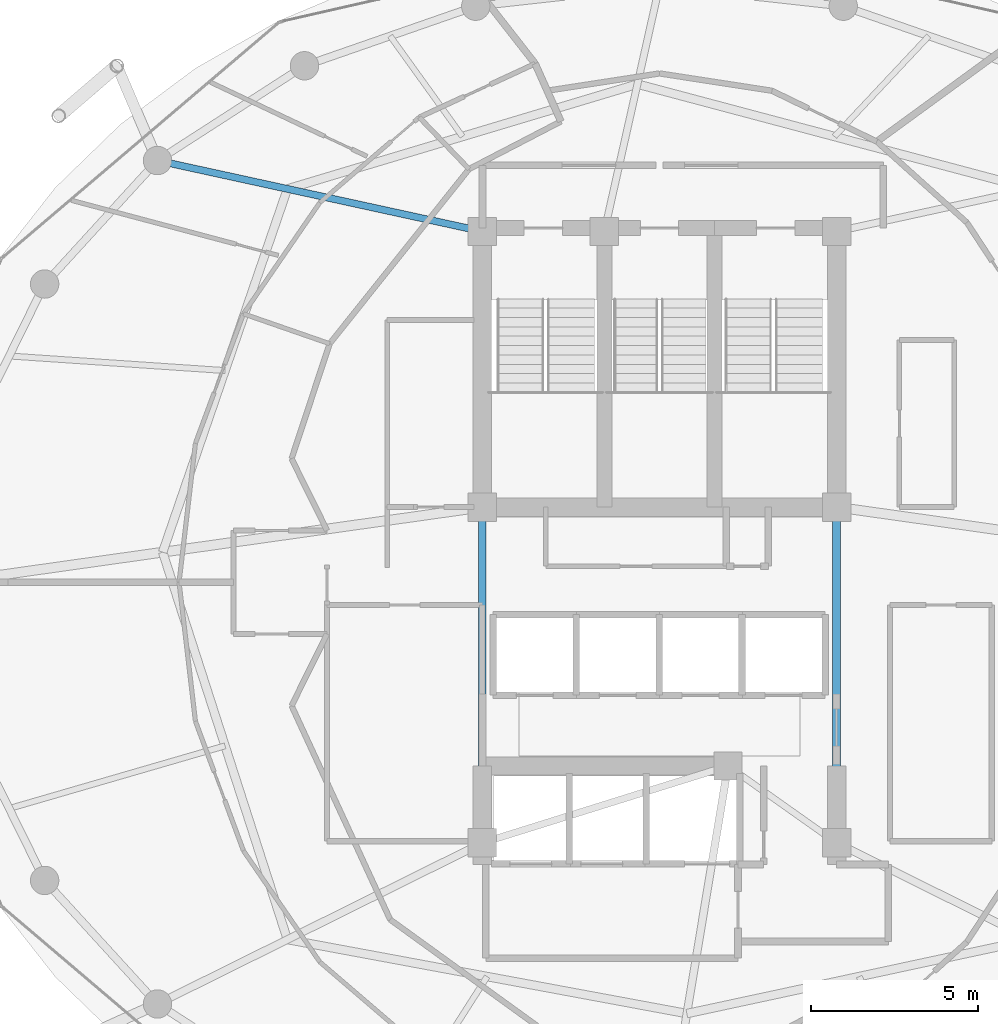
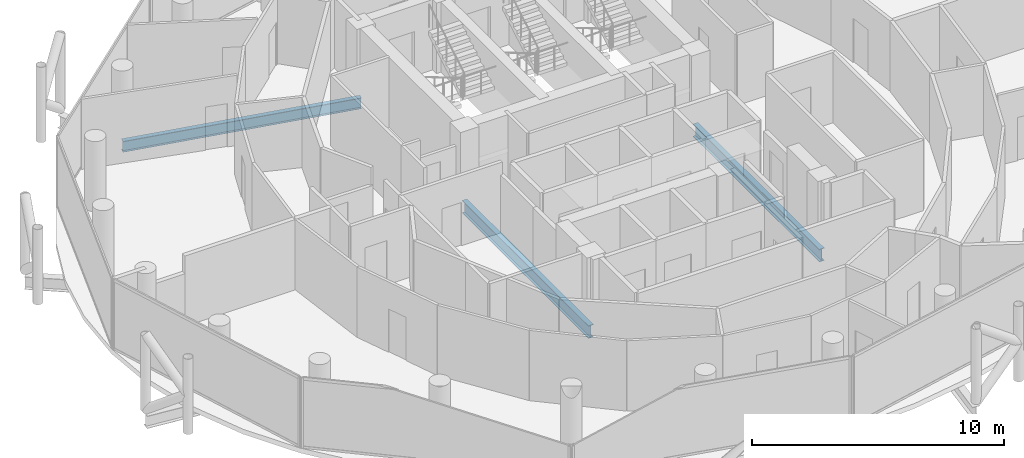
# One storey, part 10 of 27: 3 beams.
"""IFC4 building model written with IfcOpenShell, lengths in metres."""

import ifcopenshell
import ifcopenshell.guid

model = None  # the IFC model being written
_history = None  # IfcOwnerHistory: only IFC2X3 demands one
_inside = {}  # id of a spatial element -> (the spatial element, [elements in it])
_under = {}  # id of a project, library or spatial element -> (it, [spatial elements below it])
_declared = {}  # id of a project -> (the project, [libraries it declares])
_typed = {}  # id of a type object -> (the type object, [elements of that type])
_made_of = {}  # id of a material, layer set ... -> (it, [elements and type objects made of it])


def new_model(schema):
    """Start an empty IFC model of exactly this schema.

    Asked for "IFC4X3", IfcOpenShell would pick the latest addendum, in which some entities
    have other attributes; the version numbers below select the first issue.
    IFC2X3 requires an IfcOwnerHistory on every rooted entity: one is made here for all.
    """
    global model, _history
    if schema == "IFC4X3":
        model = ifcopenshell.file(schema_version=(4, 3, 0, 0))
    else:
        model = ifcopenshell.file(schema=schema)
    _inside.clear()
    _under.clear()
    _declared.clear()
    _typed.clear()
    _made_of.clear()
    _history = None
    if model.schema == "IFC2X3":
        org = make("IfcOrganization", Name="unknown")
        user = make(
            "IfcPersonAndOrganization",
            ThePerson=make("IfcPerson", FamilyName="unknown"),
            TheOrganization=org,
        )
        app = make(
            "IfcApplication",
            ApplicationDeveloper=org,
            Version="unknown",
            ApplicationFullName="unknown",
            ApplicationIdentifier="unknown",
        )
        _history = make(
            "IfcOwnerHistory",
            OwningUser=user,
            OwningApplication=app,
            ChangeAction="ADDED",
            CreationDate=0,
        )
    return model


def make(cls, **values):
    """One entity of the class cls with the attributes given. An attribute that is None is left unset."""
    return model.create_entity(
        cls, **{name: value for name, value in values.items() if value is not None}
    )


def rooted(cls, **values):
    """An entity with a GlobalId (a new one), such as an element, a storey or a relation."""
    return make(cls, GlobalId=ifcopenshell.guid.new(), OwnerHistory=_history, **values)


def si_unit(unit_type, name, prefix=None):
    """IfcSIUnit, for example si_unit("LENGTHUNIT", "METRE", prefix="MILLI")."""
    return make("IfcSIUnit", UnitType=unit_type, Prefix=prefix, Name=name)


def assignment(units):
    """IfcUnitAssignment: the units of a project."""
    return None if units is None else make("IfcUnitAssignment", Units=units)


def point(xyz):
    """IfcCartesianPoint."""
    return None if xyz is None else make("IfcCartesianPoint", Coordinates=xyz)


def direction(xyz):
    """IfcDirection."""
    return None if xyz is None else make("IfcDirection", DirectionRatios=xyz)


def frame(location, z_axis=None, x_axis=None):
    """IfcAxis2Placement3D, a coordinate frame: its origin and axes. An axis left out is left unset."""
    return make(
        "IfcAxis2Placement3D",
        Location=point(location),
        Axis=direction(z_axis),
        RefDirection=direction(x_axis),
    )


def frame_2d(location, x_axis=None):
    """IfcAxis2Placement2D, a coordinate frame in the plane: its origin and x axis."""
    return make(
        "IfcAxis2Placement2D", Location=point(location), RefDirection=direction(x_axis)
    )


def origin():
    """The frame at (0, 0, 0) with its axes left unset."""
    return frame((0.0, 0.0, 0.0))


def origin_2d():
    """The frame at (0, 0) in the plane with its x axis left unset."""
    return frame_2d((0.0, 0.0))


def place(relative_to, where):
    """IfcLocalPlacement: puts the frame where relative to a parent placement (None: the world)."""
    return make(
        "IfcLocalPlacement", PlacementRelTo=relative_to, RelativePlacement=where
    )


def context(
    kind, dimensions, precision=None, world=None, true_north=None, identifier=None
):
    """IfcGeometricRepresentationContext, for example the 3D "Model" context."""
    return make(
        "IfcGeometricRepresentationContext",
        ContextIdentifier=identifier,
        ContextType=kind,
        CoordinateSpaceDimension=dimensions,
        Precision=precision,
        WorldCoordinateSystem=world,
        TrueNorth=true_north,
    )


def subcontext(parent, identifier, kind, view, scale=None):
    """IfcGeometricRepresentationSubContext, for example "Body" below "Model"."""
    return make(
        "IfcGeometricRepresentationSubContext",
        ContextIdentifier=identifier,
        ContextType=kind,
        ParentContext=parent,
        TargetScale=scale,
        TargetView=view,
    )


def project(units=None, contexts=None):
    """IfcProject with its units and contexts."""
    return rooted(
        "IfcProject",
        Name="project",
        RepresentationContexts=contexts,
        UnitsInContext=assignment(units),
    )


def spatial(cls, under=None, at=None, **own):
    """A site, building, storey or space (cls), placed at a placement, below another one or the project."""
    s = rooted(cls, ObjectPlacement=at, **own)
    if under is not None:
        _under.setdefault(under.id(), (under, []))[1].append(s)
    return s


def profile(cls, at=None, kind="AREA", **sizes):
    """A parametric profile (cls). Its sizes go by their IFC names, for example OverallWidth=200.0."""
    return make(cls, ProfileType=kind, Position=at, **sizes)


def i_section(**sizes):
    """IfcIShapeProfileDef."""
    return profile("IfcIShapeProfileDef", **sizes)


def extrude(swept, where, along, depth):
    """IfcExtrudedAreaSolid: the profile swept, set in the frame where, extruded along a direction by depth."""
    return make(
        "IfcExtrudedAreaSolid",
        SweptArea=swept,
        Position=where,
        ExtrudedDirection=direction(along),
        Depth=depth,
    )


def shape(context_of_items, identifier, shape_type, items):
    """IfcShapeRepresentation: the items that make up one representation, for example the "Body"."""
    return make(
        "IfcShapeRepresentation",
        ContextOfItems=context_of_items,
        RepresentationIdentifier=identifier,
        RepresentationType=shape_type,
        Items=items,
    )


def material(Name=None, Category=None):
    """IfcMaterial."""
    return make("IfcMaterial", Name=Name, Category=Category)


def material_profile(
    of_material, cross_section, Name=None, Category=None, Priority=None
):
    """IfcMaterialProfile: a cross section and its material."""
    return make(
        "IfcMaterialProfile",
        Name=Name,
        Material=of_material,
        Profile=cross_section,
        Priority=Priority,
        Category=Category,
    )


def profile_set(profiles, Name=None, composite=None):
    """IfcMaterialProfileSet."""
    return make(
        "IfcMaterialProfileSet",
        Name=Name,
        MaterialProfiles=profiles,
        CompositeProfile=composite,
    )


def made_of(thing, what):
    """Note that an element or type object is made of a material, layer set ...; save() writes the relation."""
    if what is not None:
        _made_of.setdefault(what.id(), (what, []))[1].append(thing)
    return thing


def type_object(cls, material=None, **own):
    """A type object (cls), such as IfcWallType, which elements share."""
    return made_of(rooted(cls, **own), material)


def element(
    cls,
    number,
    at=None,
    inside=None,
    cuts=None,
    type_object=None,
    material=None,
    context=None,
    identifier="Body",
    shape_type=None,
    held_by="IfcProductDefinitionShape",
    body=None,
    shapes=None,
    **own,
):
    """One element of the class cls, such as IfcWall. Its Tag is "e" and its number.

    at: its placement. inside: the storey or other place that contains it. cuts: it is an
    opening in that element (IfcRelVoidsElement). A single representation is given by context,
    identifier, shape_type and body (its items); several are given by shapes. held_by: the class
    of the entity that holds the representations. save() writes the other relations.
    """
    e = rooted(cls, Tag="e%d" % number, ObjectPlacement=at, **own)
    if body is not None:
        shapes = [shape(context, identifier, shape_type, body)]
    if shapes is not None:
        e.Representation = make(held_by, Representations=shapes)
    if inside is not None:
        _inside.setdefault(inside.id(), (inside, []))[1].append(e)
    if cuts is not None:
        rooted(
            "IfcRelVoidsElement", RelatingBuildingElement=cuts, RelatedOpeningElement=e
        )
    if type_object is not None:
        _typed.setdefault(type_object.id(), (type_object, []))[1].append(e)
    return made_of(e, material)


def aggregate(whole, parts):
    """IfcRelAggregates: a whole, such as a stair, and the parts it consists of."""
    return rooted("IfcRelAggregates", RelatingObject=whole, RelatedObjects=parts)


def save(model, path):
    """Write the relations noted so far, then the file.

    IfcRelAggregates (storeys below a building ...), IfcRelContainedInSpatialStructure (elements
    in a storey), IfcRelDefinesByType, IfcRelAssociatesMaterial and IfcRelDeclares: one each for
    every whole, place, type object, material and project.
    """
    for whole, parts in _under.values():
        aggregate(whole, parts)
    for where, things in _inside.values():
        rooted(
            "IfcRelContainedInSpatialStructure",
            RelatedElements=things,
            RelatingStructure=where,
        )
    for kind, things in _typed.values():
        rooted("IfcRelDefinesByType", RelatedObjects=things, RelatingType=kind)
    for what, things in _made_of.values():
        rooted("IfcRelAssociatesMaterial", RelatedObjects=things, RelatingMaterial=what)
    for by, libraries in _declared.values():
        rooted("IfcRelDeclares", RelatingContext=by, RelatedDefinitions=libraries)
    model.write(path)


model = new_model("IFC4")

# Units and contexts
model_context = context("Model", 3, precision=1e-05, world=origin(), true_north=direction((0.0, 1.0)))
body_context = subcontext(model_context, "Body", "Model", "MODEL_VIEW")
ifc_project = project(units=[si_unit("LENGTHUNIT", "METRE"), si_unit("AREAUNIT", "SQUARE_METRE"), si_unit("VOLUMEUNIT", "CUBIC_METRE"), si_unit("PLANEANGLEUNIT", "RADIAN"), si_unit("MASSUNIT", "GRAM", prefix="KILO")], contexts=[model_context])

# Site, building, storey
site_placement = place(None, origin())
site = spatial("IfcSite", under=ifc_project, at=site_placement, CompositionType="ELEMENT")
building_placement = place(site_placement, origin())
building = spatial("IfcBuilding", under=site, at=building_placement, Name="Nuhasar Tower", CompositionType="ELEMENT")
storey_placement = place(building_placement, frame((0.0, 0.0, 219.10009765625)))
storey = spatial("IfcBuildingStorey", under=building, at=storey_placement, Name="L53", CompositionType="ELEMENT", Elevation=219.10009765625)

# Beams
ifc_material = material(Name="Steel S355", Category="steel")
ifc_material_profile_1 = material_profile(ifc_material, i_section(OverallWidth=0.208984375, OverallDepth=0.528076171875, WebThickness=0.009521484375, FlangeThickness=0.01318359375, at=origin_2d()), Name="W21X55")
ifc_profile_set_1 = profile_set([ifc_material_profile_1], Name="Steel S355")
beam_type_1 = type_object("IfcBeamType", Name="BM-RAD-W21X55", PredefinedType="BEAM", material=ifc_profile_set_1)
beam_placement = place(storey_placement, frame((33.699951171875, 37.300048828125, -0.504150390625), z_axis=(-0.977014275474, 0.213173885644, 0.0), x_axis=(-0.213173885644, -0.977014275474, 0.0)))
element("IfcBeam", 1, at=beam_placement, inside=storey, type_object=beam_type_1, Name="L53 Radial Floor Girder 07", PredefinedType="BEAM", context=body_context, shape_type="SweptSolid", body=[
    extrude(i_section(OverallWidth=0.208984375, OverallDepth=0.528076171875, WebThickness=0.009521484375, FlangeThickness=0.01318359375, at=origin_2d()), origin(), (0.0, 0.0, 1.0), 9.95458984375),
])
ifc_material_profile_2 = material_profile(ifc_material, i_section(OverallWidth=0.22900390625, OverallDepth=0.612060546875, WebThickness=0.011962890625, FlangeThickness=0.01953125, at=origin_2d()), Name="W24X84")
ifc_profile_set_2 = profile_set([ifc_material_profile_2], Name="Steel S355")
beam_type_2 = type_object("IfcBeamType", Name="BM-RAD-W24X84", PredefinedType="BEAM", material=ifc_profile_set_2)
for number, where, z_axis, x_axis, name in (
    (2, (44.300048828125, 19.0, -0.546142578125), (0.0, 1.0, 0.0), (-1.0, 0.0, 0.0), "L53 Core Ring Girder 3"),
    (3, (33.699951171875, 29.050048828125, -0.546142578125), (0.0, -1.0, 0.0), (1.0, 0.0, 0.0), "L53 Core Ring Girder 8"),
):
    element("IfcBeam", number, at=place(storey_placement, frame(where, z_axis=z_axis, x_axis=x_axis)), inside=storey, type_object=beam_type_2, Name=name, PredefinedType="BEAM", context=body_context, shape_type="SweptSolid", body=[
        extrude(i_section(OverallWidth=0.22900390625, OverallDepth=0.612060546875, WebThickness=0.011962890625, FlangeThickness=0.01953125, at=origin_2d()), origin(), (0.0, 0.0, 1.0), 10.050048828125),
    ])

save(model, "model.ifc")
